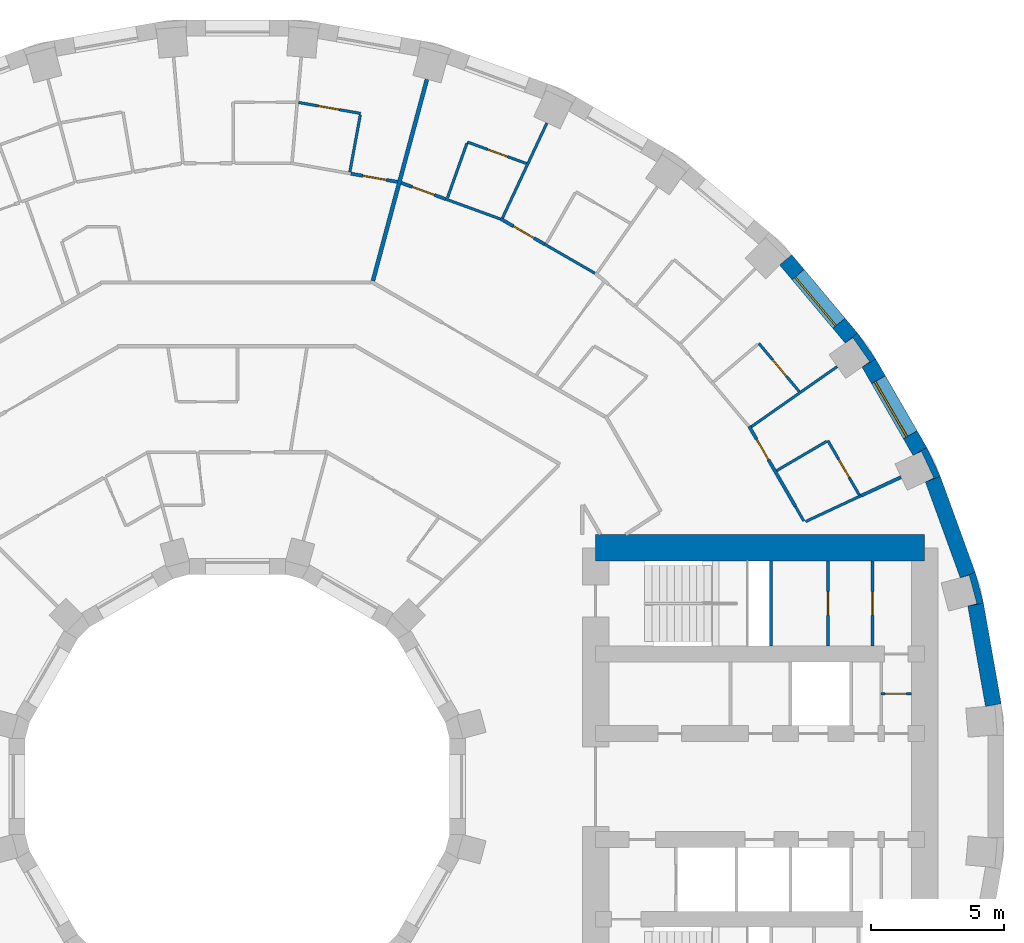
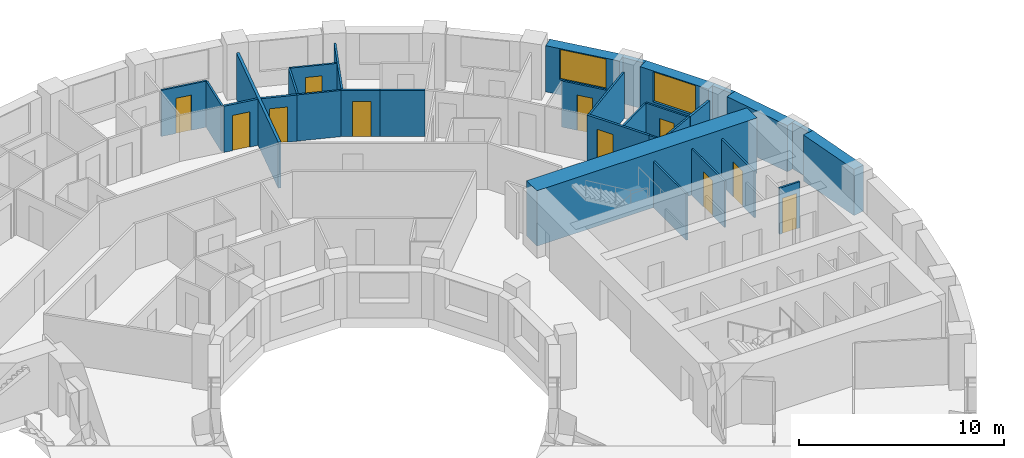
# One storey, part 14 of 16: 31 walls, 11 doors, 2 windows, 13 openings.
"""IFC4 building model written with IfcOpenShell, lengths in metres."""

from ifc_helpers import new_model, si_unit, direction, frame, frame_2d, origin, place, context, subcontext, project, spatial, polyline, rectangle, outline, extrude, material, layer, layer_set, type_object, element, fill, save


model = new_model("IFC4")

# Units and contexts
model_context = context("Model", 3, precision=1e-05, world=origin(), true_north=direction((0.0, 1.0)))
body_context = subcontext(model_context, "Body", "Model", "MODEL_VIEW")
ifc_project = project(units=[si_unit("LENGTHUNIT", "METRE"), si_unit("AREAUNIT", "SQUARE_METRE"), si_unit("VOLUMEUNIT", "CUBIC_METRE"), si_unit("PLANEANGLEUNIT", "RADIAN"), si_unit("MASSUNIT", "GRAM", prefix="KILO")], contexts=[model_context])

# Site, building, storey
site_placement = place(None, origin())
site = spatial("IfcSite", under=ifc_project, at=site_placement, CompositionType="ELEMENT")
building_placement = place(site_placement, origin())
building = spatial("IfcBuilding", under=site, at=building_placement, Name="Saqina Gate Tower", CompositionType="ELEMENT")
storey_placement = place(building_placement, frame((0.0, 0.0, 26.300048828125)))
storey = spatial("IfcBuildingStorey", under=building, at=storey_placement, Name="L06", CompositionType="ELEMENT", Elevation=26.300048828125)

# Walls
ifc_material_1 = material(Name="Brick masonry (red)", Category="masonry")
wall_type_1 = type_object("IfcWallType", Name="BRICK PIER COPING RED", PredefinedType="SOLIDWALL", material=ifc_material_1)
wall_1_placement = place(storey_placement, origin())
element("IfcWall", 1, at=wall_1_placement, inside=storey, type_object=wall_type_1, Name="Pier cap L06 column 2", PredefinedType="SOLIDWALL", context=body_context, shape_type="SweptSolid", body=[
    extrude(outline(polyline([(28.11669921875, 6.910400390625), (27.80517578125, 8.073974609375), (27.2412109375, 7.86865234375), (27.57958984375, 7.95947265625), (27.864501953125, 6.896728515625), (27.52587890625, 6.80615234375), (28.11669921875, 6.910400390625)])), origin(), (0.0, 0.0, 1.0), 2.75),
])
wall_2_placement = place(storey_placement, origin())
element("IfcWall", 2, at=wall_2_placement, inside=storey, type_object=wall_type_1, Name="Pier cap L06 column 3", PredefinedType="SOLIDWALL", context=body_context, shape_type="SweptSolid", body=[
    extrude(outline(polyline([(25.980712890625, 12.779541015625), (25.4609375, 12.4794921875), (25.778564453125, 12.627685546875), (26.243408203125, 11.630615234375), (25.92578125, 11.482666015625), (26.48974609375, 11.687744140625), (25.980712890625, 12.779541015625)])), origin(), (0.0, 0.0, 1.0), 2.75),
])
wall_3_placement = place(storey_placement, origin())
element("IfcWall", 3, at=wall_3_placement, inside=storey, type_object=wall_type_1, Name="Pier cap L06 column 4", PredefinedType="SOLIDWALL", context=body_context, shape_type="SweptSolid", body=[
    extrude(outline(polyline([(24.0576171875, 16.110107421875), (23.36669921875, 17.096923828125), (22.9072265625, 16.711181640625), (23.194091796875, 16.912109375), (23.8251953125, 16.010986328125), (23.5380859375, 15.81005859375), (24.0576171875, 16.110107421875)])), origin(), (0.0, 0.0, 1.0), 2.75),
])

# Wall, opening, door
ifc_material_2 = material(Name="Gypsum board on steel studs", Category="steel")
ifc_layer_1 = layer(ifc_material_2, 0.10009765625)
ifc_layer_set_1 = layer_set([ifc_layer_1], Name="CORE PARTITION")
wall_type_2 = type_object("IfcWallType", Name="CORE PARTITION", PredefinedType="PARTITIONING", material=ifc_layer_set_1)
wall_4_placement = place(storey_placement, frame((24.260009765625, 3.5, 0.0), z_axis=(0.0, 0.0, 1.0), x_axis=(1.0, 0.0, 0.0)))
wall_4 = element("IfcWall", 4, at=wall_4_placement, inside=storey, type_object=wall_type_2, Name="L06-CP-E10", PredefinedType="PARTITIONING", context=body_context, shape_type="SweptSolid", body=[
    extrude(rectangle(XDim=1.139892578125, YDim=0.10009765625, at=frame_2d((0.56982421875, 0.0))), origin(), (0.0, 0.0, 1.0), 2.75),
])
opening_1_placement = place(wall_4_placement, frame((0.14990234375, 0.0, 0.0)))
opening_1 = element("IfcOpeningElement", 5, at=opening_1_placement, cuts=wall_4, Name="Opening G01-D97", PredefinedType="OPENING", context=body_context, shape_type="SweptSolid", body=[
    extrude(rectangle(XDim=0.800048828125, YDim=2.10009765625, at=frame_2d((0.39990234375, 1.050048828125))), frame((0.0, 0.06201171875, 0.0), z_axis=(0.0, -1.0, 0.0), x_axis=(1.0, 0.0, 0.0)), (0.0, 0.0, 1.0), 0.1240234375),
])
ifc_material_3 = material(Name="Steel-framed fire door leaf, EI 60", Category="steel")
door_type_1 = type_object("IfcDoorType", Name="SERVICE ROOM DOOR 800", OperationType="SINGLE_SWING_LEFT", PredefinedType="DOOR", material=ifc_material_3)
door_1_placement = place(opening_1_placement, origin())
door_1 = element("IfcDoor", 6, at=door_1_placement, inside=storey, type_object=door_type_1, Name="L06-CD-E08", OperationType="SINGLE_SWING_RIGHT", OverallHeight=2.10009765625, OverallWidth=0.800048828125, PredefinedType="DOOR", context=body_context, shape_type="SweptSolid", body=[
    extrude(rectangle(XDim=0.800048828125, YDim=2.10009765625, at=frame_2d((0.39990234375, 1.050048828125))), frame((0.0, 0.02490234375, 0.0), z_axis=(0.0, -1.0, 0.0), x_axis=(1.0, 0.0, 0.0)), (0.0, 0.0, 1.0), 0.050048828125),
])
fill(opening_1, door_1)

wall_5_placement = place(storey_placement, frame((22.256103515625, 5.300048828125, 0.0), z_axis=(0.0, 0.0, 1.0), x_axis=(0.0, 1.0, 0.0)))
wall_5 = element("IfcWall", 7, at=wall_5_placement, inside=storey, type_object=wall_type_2, Name="L06-CP-E12", PredefinedType="PARTITIONING", context=body_context, shape_type="SweptSolid", body=[
    extrude(rectangle(XDim=3.199951171875, YDim=0.10009765625, at=frame_2d((1.60009765625, 0.0))), origin(), (0.0, 0.0, 1.0), 2.75),
])
opening_2_placement = place(wall_5_placement, frame((1.14990234375, 0.0, 0.0)))
opening_2 = element("IfcOpeningElement", 8, at=opening_2_placement, cuts=wall_5, Name="Opening G01-D99", PredefinedType="OPENING", context=body_context, shape_type="SweptSolid", body=[
    extrude(rectangle(XDim=0.89990234375, YDim=2.10009765625, at=frame_2d((0.449951171875, 1.050048828125))), frame((0.0, 0.06201171875, 0.0), z_axis=(0.0, -1.0, 0.0), x_axis=(1.0, 0.0, 0.0)), (0.0, 0.0, 1.0), 0.1240234375),
])
ifc_material_4 = material(Name="Steel-framed fire door leaf, EI 60", Category="steel")
door_type_2 = type_object("IfcDoorType", Name="SERVICE ROOM DOOR 900", OperationType="SINGLE_SWING_LEFT", PredefinedType="DOOR", material=ifc_material_4)
door_2_placement = place(opening_2_placement, origin())
door_2 = element("IfcDoor", 9, at=door_2_placement, inside=storey, type_object=door_type_2, Name="L06-CD-E10", OperationType="SINGLE_SWING_LEFT", OverallHeight=2.10009765625, OverallWidth=0.89990234375, PredefinedType="DOOR", context=body_context, shape_type="SweptSolid", body=[
    extrude(rectangle(XDim=0.89990234375, YDim=2.10009765625, at=frame_2d((0.449951171875, 1.050048828125))), frame((0.0, 0.02490234375, 0.0), z_axis=(0.0, -1.0, 0.0), x_axis=(1.0, 0.0, 0.0)), (0.0, 0.0, 1.0), 0.050048828125),
])
fill(opening_2, door_2)

wall_6_placement = place(storey_placement, frame((23.932861328125, 5.300048828125, 0.0), z_axis=(0.0, 0.0, 1.0), x_axis=(0.0, 1.0, 0.0)))
wall_6 = element("IfcWall", 10, at=wall_6_placement, inside=storey, type_object=wall_type_2, Name="L06-CP-E13", PredefinedType="PARTITIONING", context=body_context, shape_type="SweptSolid", body=[
    extrude(rectangle(XDim=3.199951171875, YDim=0.10009765625, at=frame_2d((1.60009765625, 0.0))), origin(), (0.0, 0.0, 1.0), 2.75),
])
opening_3_placement = place(wall_6_placement, frame((1.14990234375, 0.0, 0.0)))
opening_3 = element("IfcOpeningElement", 11, at=opening_3_placement, cuts=wall_6, Name="Opening G01-D98", PredefinedType="OPENING", context=body_context, shape_type="SweptSolid", body=[
    extrude(rectangle(XDim=0.89990234375, YDim=2.10009765625, at=frame_2d((0.449951171875, 1.050048828125))), frame((0.0, 0.06201171875, 0.0), z_axis=(0.0, -1.0, 0.0), x_axis=(1.0, 0.0, 0.0)), (0.0, 0.0, 1.0), 0.1240234375),
])
door_3_placement = place(opening_3_placement, origin())
door_3 = element("IfcDoor", 12, at=door_3_placement, inside=storey, type_object=door_type_2, Name="L06-CD-E09", OperationType="SINGLE_SWING_LEFT", OverallHeight=2.10009765625, OverallWidth=0.89990234375, PredefinedType="DOOR", context=body_context, shape_type="SweptSolid", body=[
    extrude(rectangle(XDim=0.89990234375, YDim=2.10009765625, at=frame_2d((0.449951171875, 1.050048828125))), frame((0.0, 0.02490234375, 0.0), z_axis=(0.0, -1.0, 0.0), x_axis=(1.0, 0.0, 0.0)), (0.0, 0.0, 1.0), 0.050048828125),
])
fill(opening_3, door_3)

# Wall, opening, window
ifc_material_5 = material(Name="Brick masonry (red)", Category="masonry")
ifc_layer_2 = layer(ifc_material_5, 0.60009765625)
ifc_layer_set_2 = layer_set([ifc_layer_2], Name="FW-BRICK-RED")
wall_type_3 = type_object("IfcWallType", Name="FW-BRICK-RED", PredefinedType="SOLIDWALL", material=ifc_layer_set_2)
wall_7_placement = place(storey_placement, frame((25.720703125, 12.629638671875, 0.0), z_axis=(0.0, 0.0, 1.0), x_axis=(-0.499989888488, 0.86603124159, 0.0)))
wall_7 = element("IfcWall", 13, at=wall_7_placement, inside=storey, type_object=wall_type_3, Name="Facade wall L06 facet 3", PredefinedType="SOLIDWALL", context=body_context, shape_type="SweptSolid", body=[
    extrude(rectangle(XDim=3.845703125, YDim=0.60009765625, at=frame_2d((1.9228515625, 0.0))), origin(), (0.0, 0.0, 1.0), 2.75),
])
opening_4_placement = place(wall_7_placement, frame((0.722900390625, 0.0, 0.89990234375)))
opening_4 = element("IfcOpeningElement", 14, at=opening_4_placement, cuts=wall_7, Name="Opening G01-W01", PredefinedType="OPENING", context=body_context, shape_type="SweptSolid", body=[
    extrude(rectangle(XDim=2.39990234375, YDim=1.800048828125, at=frame_2d((1.199951171875, 0.89990234375))), frame((0.0, 0.31201171875, 0.0), z_axis=(0.0, -1.0, 0.0), x_axis=(1.0, 0.0, 0.0)), (0.0, 0.0, 1.0), 0.6240234375),
])
ifc_material_6 = material(Name="Aluminium glazing", Category="aluminium")
window_type = type_object("IfcWindowType", Name="WN-A", PartitioningType="SINGLE_PANEL", PredefinedType="WINDOW", material=ifc_material_6)
window_1_placement = place(opening_4_placement, origin())
window_1 = element("IfcWindow", 15, at=window_1_placement, inside=storey, type_object=window_type, Name="Window L06 facet 3", OverallHeight=1.800048828125, OverallWidth=2.39990234375, PartitioningType="SINGLE_PANEL", PredefinedType="WINDOW", context=body_context, shape_type="SweptSolid", body=[
    extrude(rectangle(XDim=2.39990234375, YDim=1.800048828125, at=frame_2d((1.199951171875, 0.89990234375))), frame((0.0, 0.179931640625, 0.0), z_axis=(0.0, -1.0, 0.0), x_axis=(1.0, 0.0, 0.0)), (0.0, 0.0, 1.0), 0.06005859375),
])
fill(opening_4, window_1)

wall_8_placement = place(storey_placement, frame((23.136962890625, 16.904052734375, 0.0), z_axis=(0.0, 0.0, 1.0), x_axis=(-0.642809392687, 0.766026164483, 0.0)))
wall_8 = element("IfcWall", 16, at=wall_8_placement, inside=storey, type_object=wall_type_3, Name="Facade wall L06 facet 4", PredefinedType="SOLIDWALL", context=body_context, shape_type="SweptSolid", body=[
    extrude(rectangle(XDim=3.845947265625, YDim=0.60009765625, at=frame_2d((1.9228515625, 0.0))), origin(), (0.0, 0.0, 1.0), 2.75),
])
opening_5_placement = place(wall_8_placement, frame((0.722900390625, 0.0, 0.89990234375)))
opening_5 = element("IfcOpeningElement", 17, at=opening_5_placement, cuts=wall_8, Name="Opening G01-W02", PredefinedType="OPENING", context=body_context, shape_type="SweptSolid", body=[
    extrude(rectangle(XDim=2.39990234375, YDim=1.800048828125, at=frame_2d((1.199951171875, 0.89990234375))), frame((0.0, 0.31201171875, 0.0), z_axis=(0.0, -1.0, 0.0), x_axis=(1.0, 0.0, 0.0)), (0.0, 0.0, 1.0), 0.6240234375),
])
window_2_placement = place(opening_5_placement, origin())
window_2 = element("IfcWindow", 18, at=window_2_placement, inside=storey, type_object=window_type, Name="Window L06 facet 4", OverallHeight=1.800048828125, OverallWidth=2.39990234375, PartitioningType="SINGLE_PANEL", PredefinedType="WINDOW", context=body_context, shape_type="SweptSolid", body=[
    extrude(rectangle(XDim=2.39990234375, YDim=1.800048828125, at=frame_2d((1.199951171875, 0.89990234375))), frame((0.0, 0.179931640625, 0.0), z_axis=(0.0, -1.0, 0.0), x_axis=(1.0, 0.0, 0.0)), (0.0, 0.0, 1.0), 0.06005859375),
])
fill(opening_5, window_2)

# Walls
ifc_material_7 = material(Name="Glazed ceramic tile", Category="ceramic")
ifc_layer_3 = layer(ifc_material_7, 0.60009765625)
ifc_layer_set_3 = layer_set([ifc_layer_3], Name="FW-TILE")
wall_type_4 = type_object("IfcWallType", Name="FW-TILE", PredefinedType="SOLIDWALL", material=ifc_layer_set_3)
wall_9_placement = place(storey_placement, frame((28.4892578125, 3.07080078125, 0.0), z_axis=(0.0, 0.0, 1.0), x_axis=(-0.173687553279, 0.984800809218, 0.0)))
element("IfcWall", 19, at=wall_9_placement, inside=storey, type_object=wall_type_4, Name="Facade wall L06 facet 1", PredefinedType="SOLIDWALL", context=body_context, shape_type="SweptSolid", body=[
    extrude(rectangle(XDim=3.845703125, YDim=0.60009765625, at=frame_2d((1.9228515625, 0.0))), origin(), (0.0, 0.0, 1.0), 2.75),
])
ifc_material_8 = material(Name="Glazed ceramic tile (white)", Category="ceramic")
ifc_layer_4 = layer(ifc_material_8, 0.60009765625)
ifc_layer_set_4 = layer_set([ifc_layer_4], Name="FW-TILE-WH")
wall_type_5 = type_object("IfcWallType", Name="FW-TILE-WH", PredefinedType="SOLIDWALL", material=ifc_layer_set_4)
wall_10_placement = place(storey_placement, frame((27.523193359375, 7.97119140625, 0.0), z_axis=(0.0, 0.0, 1.0), x_axis=(-0.342028474173, 0.939689588564, 0.0)))
element("IfcWall", 20, at=wall_10_placement, inside=storey, type_object=wall_type_5, Name="Facade wall L06 facet 2", PredefinedType="SOLIDWALL", context=body_context, shape_type="SweptSolid", body=[
    extrude(rectangle(XDim=3.845947265625, YDim=0.60009765625, at=frame_2d((1.9228515625, 0.0))), origin(), (0.0, 0.0, 1.0), 2.75),
])
ifc_material_9 = material(Name="Gypsum board on steel studs, 100 mm", Category="steel")
ifc_layer_5 = layer(ifc_material_9, 0.10009765625)
ifc_layer_set_5 = layer_set([ifc_layer_5], Name="PARTITION 100")
wall_type_6 = type_object("IfcWallType", Name="PARTITION 100", PredefinedType="PARTITIONING", material=ifc_layer_set_5)
wall_11_placement = place(storey_placement, frame((21.029296875, 10.555419921875, 0.0), z_axis=(0.0, 0.0, 1.0), x_axis=(0.49975591337, -0.86616628141, 0.0)))
element("IfcWall", 21, at=wall_11_placement, inside=storey, type_object=wall_type_6, Name="PARTITION PW3-24", PredefinedType="PARTITIONING", context=body_context, shape_type="SweptSolid", body=[
    extrude(rectangle(XDim=0.631591796875, YDim=0.10009765625, at=frame_2d((0.31591796875, 0.0))), origin(), (0.0, 0.0, 1.0), 2.75),
])

# Wall, opening, door
wall_12_placement = place(storey_placement, frame((22.251953125, 13.0380859375, 0.0), z_axis=(0.0, 0.0, 1.0), x_axis=(0.500073288705, -0.865983086396, 0.0)))
wall_12 = element("IfcWall", 22, at=wall_12_placement, inside=storey, type_object=wall_type_6, Name="PARTITION PW3-25", PredefinedType="PARTITIONING", context=body_context, shape_type="SweptSolid", body=[
    extrude(rectangle(XDim=2.369384765625, YDim=0.10009765625, at=frame_2d((1.1845703125, 0.0))), origin(), (0.0, 0.0, 1.0), 2.75),
])
opening_6_placement = place(wall_12_placement, frame((0.810791015625, 0.0, 0.0)))
opening_6 = element("IfcOpeningElement", 23, at=opening_6_placement, cuts=wall_12, Name="Opening G01-D01", PredefinedType="OPENING", context=body_context, shape_type="SweptSolid", body=[
    extrude(rectangle(XDim=0.800048828125, YDim=2.10009765625, at=frame_2d((0.39990234375, 1.050048828125))), frame((0.0, 0.06201171875, 0.0), z_axis=(0.0, -1.0, 0.0), x_axis=(1.0, 0.0, 0.0)), (0.0, 0.0, 1.0), 0.1240234375),
])
ifc_material_10 = material(Name="Timber door leaf, 800 mm", Category="wood")
door_type_3 = type_object("IfcDoorType", Name="DOOR 800 TIMBER", OperationType="SINGLE_SWING_LEFT", PredefinedType="DOOR", material=ifc_material_10)
door_4_placement = place(opening_6_placement, origin())
door_4 = element("IfcDoor", 24, at=door_4_placement, inside=storey, type_object=door_type_3, Name="DOOR G01-D01", OperationType="SINGLE_SWING_RIGHT", OverallHeight=2.10009765625, OverallWidth=0.800048828125, PredefinedType="DOOR", context=body_context, shape_type="SweptSolid", body=[
    extrude(rectangle(XDim=0.800048828125, YDim=2.10009765625, at=frame_2d((0.39990234375, 1.050048828125))), frame((0.0, 0.02490234375, 0.0), z_axis=(0.0, -1.0, 0.0), x_axis=(1.0, 0.0, 0.0)), (0.0, 0.0, 1.0), 0.050048828125),
])
fill(opening_6, door_4)

wall_13_placement = place(storey_placement, frame((19.64990234375, 16.7041015625, 0.0), z_axis=(0.0, 0.0, 1.0), x_axis=(0.642631758034, -0.766175191171, 0.0)))
wall_13 = element("IfcWall", 25, at=wall_13_placement, inside=storey, type_object=wall_type_6, Name="PARTITION PW3-30", PredefinedType="PARTITIONING", context=body_context, shape_type="SweptSolid", body=[
    extrude(rectangle(XDim=2.371337890625, YDim=0.10009765625, at=frame_2d((1.185546875, 0.0))), origin(), (0.0, 0.0, 1.0), 2.75),
])
opening_7_placement = place(wall_13_placement, frame((0.810546875, 0.0, 0.0)))
opening_7 = element("IfcOpeningElement", 26, at=opening_7_placement, cuts=wall_13, Name="Opening G01-D03", PredefinedType="OPENING", context=body_context, shape_type="SweptSolid", body=[
    extrude(rectangle(XDim=0.800048828125, YDim=2.10009765625, at=frame_2d((0.39990234375, 1.050048828125))), frame((0.0, 0.06201171875, 0.0), z_axis=(0.0, -1.0, 0.0), x_axis=(1.0, 0.0, 0.0)), (0.0, 0.0, 1.0), 0.1240234375),
])
door_5_placement = place(opening_7_placement, origin())
door_5 = element("IfcDoor", 27, at=door_5_placement, inside=storey, type_object=door_type_3, Name="DOOR G01-D03", OperationType="SINGLE_SWING_RIGHT", OverallHeight=2.10009765625, OverallWidth=0.800048828125, PredefinedType="DOOR", context=body_context, shape_type="SweptSolid", body=[
    extrude(rectangle(XDim=0.800048828125, YDim=2.10009765625, at=frame_2d((0.39990234375, 1.050048828125))), frame((0.0, 0.02490234375, 0.0), z_axis=(0.0, -1.0, 0.0), x_axis=(1.0, 0.0, 0.0)), (0.0, 0.0, 1.0), 0.050048828125),
])
fill(opening_7, door_5)

# Walls
wall_14_placement = place(storey_placement, frame((11.57177734375, 20.443115234375, 0.0), z_axis=(0.0, 0.0, 1.0), x_axis=(0.865939000713, -0.500149624657, 0.0)))
element("IfcWall", 28, at=wall_14_placement, inside=storey, type_object=wall_type_6, Name="PARTITION PW3-44", PredefinedType="PARTITIONING", context=body_context, shape_type="SweptSolid", body=[
    extrude(rectangle(XDim=2.193115234375, YDim=0.10009765625, at=frame_2d((1.0966796875, 0.0))), origin(), (0.0, 0.0, 1.0), 2.75),
])
wall_15_placement = place(storey_placement, frame((7.845947265625, 22.14111328125, 0.0), z_axis=(0.0, 0.0, 1.0), x_axis=(0.939712116987, -0.341966573204, 0.0)))
element("IfcWall", 29, at=wall_15_placement, inside=storey, type_object=wall_type_6, Name="PARTITION PW3-49", PredefinedType="PARTITIONING", context=body_context, shape_type="SweptSolid", body=[
    extrude(rectangle(XDim=2.1923828125, YDim=0.10009765625, at=frame_2d((1.09619140625, 0.0))), origin(), (0.0, 0.0, 1.0), 2.75),
])

# Wall, opening, door
wall_16_placement = place(storey_placement, frame((8.666015625, 24.291015625, 0.0), z_axis=(0.0, 0.0, 1.0), x_axis=(0.939700179596, -0.341999374952, 0.0)))
wall_16 = element("IfcWall", 30, at=wall_16_placement, inside=storey, type_object=wall_type_6, Name="PARTITION PW3-50", PredefinedType="PARTITIONING", context=body_context, shape_type="SweptSolid", body=[
    extrude(rectangle(XDim=2.370849609375, YDim=0.10009765625, at=frame_2d((1.185546875, 0.0))), origin(), (0.0, 0.0, 1.0), 2.75),
])
opening_8_placement = place(wall_16_placement, frame((0.810546875, 0.0, 0.0)))
opening_8 = element("IfcOpeningElement", 31, at=opening_8_placement, cuts=wall_16, Name="Opening G01-D14", PredefinedType="OPENING", context=body_context, shape_type="SweptSolid", body=[
    extrude(rectangle(XDim=0.800048828125, YDim=2.10009765625, at=frame_2d((0.39990234375, 1.050048828125))), frame((0.0, 0.06201171875, 0.0), z_axis=(0.0, -1.0, 0.0), x_axis=(1.0, 0.0, 0.0)), (0.0, 0.0, 1.0), 0.1240234375),
])
door_6_placement = place(opening_8_placement, origin())
door_6 = element("IfcDoor", 32, at=door_6_placement, inside=storey, type_object=door_type_3, Name="DOOR G01-D14", OperationType="SINGLE_SWING_RIGHT", OverallHeight=2.10009765625, OverallWidth=0.800048828125, PredefinedType="DOOR", context=body_context, shape_type="SweptSolid", body=[
    extrude(rectangle(XDim=0.800048828125, YDim=2.10009765625, at=frame_2d((0.39990234375, 1.050048828125))), frame((0.0, 0.02490234375, 0.0), z_axis=(0.0, -1.0, 0.0), x_axis=(1.0, 0.0, 0.0)), (0.0, 0.0, 1.0), 0.050048828125),
])
fill(opening_8, door_6)

wall_17_placement = place(storey_placement, frame((2.30517578125, 25.78125, 0.0), z_axis=(0.0, 0.0, 1.0), x_axis=(0.984774232096, -0.17383817705, 0.0)))
wall_17 = element("IfcWall", 33, at=wall_17_placement, inside=storey, type_object=wall_type_6, Name="PARTITION PW3-54", PredefinedType="PARTITIONING", context=body_context, shape_type="SweptSolid", body=[
    extrude(rectangle(XDim=2.3720703125, YDim=0.10009765625, at=frame_2d((1.18603515625, 0.0))), origin(), (0.0, 0.0, 1.0), 2.75),
])
opening_9_placement = place(wall_17_placement, frame((0.760986328125, 0.0, 0.0)))
opening_9 = element("IfcOpeningElement", 34, at=opening_9_placement, cuts=wall_17, Name="Opening G01-D18", PredefinedType="OPENING", context=body_context, shape_type="SweptSolid", body=[
    extrude(rectangle(XDim=0.800048828125, YDim=2.10009765625, at=frame_2d((0.39990234375, 1.050048828125))), frame((0.0, 0.06201171875, 0.0), z_axis=(0.0, -1.0, 0.0), x_axis=(1.0, 0.0, 0.0)), (0.0, 0.0, 1.0), 0.1240234375),
])
door_7_placement = place(opening_9_placement, origin())
door_7 = element("IfcDoor", 35, at=door_7_placement, inside=storey, type_object=door_type_3, Name="DOOR G01-D18", OperationType="SINGLE_SWING_LEFT", OverallHeight=2.10009765625, OverallWidth=0.800048828125, PredefinedType="DOOR", context=body_context, shape_type="SweptSolid", body=[
    extrude(rectangle(XDim=0.800048828125, YDim=2.10009765625, at=frame_2d((0.39990234375, 1.050048828125))), frame((0.0, 0.02490234375, 0.0), z_axis=(0.0, -1.0, 0.0), x_axis=(1.0, 0.0, 0.0)), (0.0, 0.0, 1.0), 0.050048828125),
])
fill(opening_9, door_7)

# Walls
wall_18_placement = place(storey_placement, frame((21.414306640625, 9.988037109375, 0.0), z_axis=(0.0, 0.0, 1.0), x_axis=(0.906293839501, 0.42264817104, 0.0)))
element("IfcWall", 36, at=wall_18_placement, inside=storey, type_object=wall_type_6, Name="PARTITION PW3-74", PredefinedType="PARTITIONING", context=body_context, shape_type="SweptSolid", body=[
    extrude(rectangle(XDim=2.309326171875, YDim=0.10009765625, at=frame_2d((1.15478515625, 0.0))), origin(), (0.0, 0.0, 1.0), 2.75),
])
wall_19_placement = place(storey_placement, frame((20.322021484375, 11.906494140625, 0.0), z_axis=(0.0, 0.0, 1.0), x_axis=(0.862687894762, 0.505736686657, 0.0)))
element("IfcWall", 37, at=wall_19_placement, inside=storey, type_object=wall_type_6, Name="PARTITION PW3-83", PredefinedType="PARTITIONING", context=body_context, shape_type="SweptSolid", body=[
    extrude(rectangle(XDim=2.187255859375, YDim=0.10009765625, at=frame_2d((1.09375, 0.0))), origin(), (0.0, 0.0, 1.0), 2.75),
])
wall_20_placement = place(storey_placement, frame((19.3662109375, 13.560791015625, 0.0), z_axis=(0.0, 0.0, 1.0), x_axis=(0.819199961449, 0.57350799747, 0.0)))
element("IfcWall", 38, at=wall_20_placement, inside=storey, type_object=wall_type_6, Name="PARTITION PW3-85", PredefinedType="PARTITIONING", context=body_context, shape_type="SweptSolid", body=[
    extrude(rectangle(XDim=3.947998046875, YDim=0.10009765625, at=frame_2d((1.97412109375, 0.0))), origin(), (0.0, 0.0, 1.0), 2.75),
])
wall_21_placement = place(storey_placement, frame((9.98388671875, 21.416259765625, 0.0), z_axis=(0.0, 0.0, 1.0), x_axis=(0.423587219874, 0.905855323525, 0.0)))
element("IfcWall", 39, at=wall_21_placement, inside=storey, type_object=wall_type_6, Name="PARTITION PW3-105", PredefinedType="PARTITIONING", context=body_context, shape_type="SweptSolid", body=[
    extrude(rectangle(XDim=3.960693359375, YDim=0.10009765625, at=frame_2d((1.98046875, 0.0))), origin(), (0.0, 0.0, 1.0), 2.75),
])
wall_22_placement = place(storey_placement, frame((7.9140625, 22.182861328125, 0.0), z_axis=(0.0, 0.0, 1.0), x_axis=(0.335940567571, 0.941883185464, 0.0)))
element("IfcWall", 40, at=wall_22_placement, inside=storey, type_object=wall_type_6, Name="PARTITION PW3-107", PredefinedType="PARTITIONING", context=body_context, shape_type="SweptSolid", body=[
    extrude(rectangle(XDim=2.188232421875, YDim=0.10009765625, at=frame_2d((1.09423828125, 0.0))), origin(), (0.0, 0.0, 1.0), 2.75),
])
wall_23_placement = place(storey_placement, frame((4.236083984375, 23.15625, 0.0), z_axis=(0.0, 0.0, 1.0), x_axis=(0.180037913286, 0.983659671726, 0.0)))
element("IfcWall", 41, at=wall_23_placement, inside=storey, type_object=wall_type_6, Name="PARTITION PW3-113", PredefinedType="PARTITIONING", context=body_context, shape_type="SweptSolid", body=[
    extrude(rectangle(XDim=2.199462890625, YDim=0.10009765625, at=frame_2d((1.099609375, 0.0))), origin(), (0.0, 0.0, 1.0), 2.75),
])

# Wall, opening, door
ifc_material_11 = material(Name="Gypsum board on steel studs, 125 mm, fire rated", Category="steel")
ifc_layer_6 = layer(ifc_material_11, 0.125)
ifc_layer_set_6 = layer_set([ifc_layer_6], Name="PARTITION EI 30 125")
wall_type_7 = type_object("IfcWallType", Name="PARTITION EI 30 125", PredefinedType="PARTITIONING", material=ifc_layer_set_6)
wall_24_placement = place(storey_placement, frame((19.283203125, 13.579833984375, 0.0), z_axis=(0.0, 0.0, 1.0), x_axis=(0.500206547268, -0.865906120818, 0.0)))
wall_24 = element("IfcWall", 42, at=wall_24_placement, inside=storey, type_object=wall_type_7, Name="PARTITION PW1-06", PredefinedType="PARTITIONING", context=body_context, shape_type="SweptSolid", body=[
    extrude(rectangle(XDim=3.4921875, YDim=0.125, at=frame_2d((1.74609375, 0.0))), origin(), (0.0, 0.0, 1.0), 2.75),
])
opening_10_placement = place(wall_24_placement, frame((0.566162109375, 0.0, 0.0)))
opening_10 = element("IfcOpeningElement", 43, at=opening_10_placement, cuts=wall_24, Name="Opening G01-D02", PredefinedType="OPENING", context=body_context, shape_type="SweptSolid", body=[
    extrude(rectangle(XDim=0.89990234375, YDim=2.10009765625, at=frame_2d((0.449951171875, 1.050048828125))), frame((0.0, 0.074462890625, 0.0), z_axis=(0.0, -1.0, 0.0), x_axis=(1.0, 0.0, 0.0)), (0.0, 0.0, 1.0), 0.14892578125),
])
ifc_material_12 = material(Name="Fire door leaf EI 30, 900 mm")
door_type_4 = type_object("IfcDoorType", Name="DOOR 900 EI 30", OperationType="SINGLE_SWING_LEFT", PredefinedType="DOOR", material=ifc_material_12)
door_8_placement = place(opening_10_placement, frame((0.89990234375, 0.0, 0.0), z_axis=(0.0, 0.0, 1.0), x_axis=(-1.0, 0.0, 0.0)))
door_8 = element("IfcDoor", 44, at=door_8_placement, inside=storey, type_object=door_type_4, Name="DOOR G01-D02", OperationType="SINGLE_SWING_RIGHT", OverallHeight=2.10009765625, OverallWidth=0.89990234375, PredefinedType="DOOR", context=body_context, shape_type="SweptSolid", body=[
    extrude(rectangle(XDim=0.89990234375, YDim=2.10009765625, at=frame_2d((0.449951171875, 1.050048828125))), frame((0.0, 0.02490234375, 0.0), z_axis=(0.0, -1.0, 0.0), x_axis=(1.0, 0.0, 0.0)), (0.0, 0.0, 1.0), 0.050048828125),
])
fill(opening_10, door_8)

wall_25_placement = place(storey_placement, frame((9.909912109375, 21.401611328125, 0.0), z_axis=(0.0, 0.0, 1.0), x_axis=(0.866191941426, -0.499711437341, 0.0)))
wall_25 = element("IfcWall", 45, at=wall_25_placement, inside=storey, type_object=wall_type_7, Name="PARTITION PW1-20", PredefinedType="PARTITIONING", context=body_context, shape_type="SweptSolid", body=[
    extrude(rectangle(XDim=1.918701171875, YDim=0.125, at=frame_2d((0.95947265625, 0.0))), origin(), (0.0, 0.0, 1.0), 2.75),
])
opening_11_placement = place(wall_25_placement, frame((0.56591796875, 0.0, 0.0)))
opening_11 = element("IfcOpeningElement", 46, at=opening_11_placement, cuts=wall_25, Name="Opening G01-D11", PredefinedType="OPENING", context=body_context, shape_type="SweptSolid", body=[
    extrude(rectangle(XDim=0.89990234375, YDim=2.10009765625, at=frame_2d((0.449951171875, 1.050048828125))), frame((0.0, 0.074462890625, 0.0), z_axis=(0.0, -1.0, 0.0), x_axis=(1.0, 0.0, 0.0)), (0.0, 0.0, 1.0), 0.14892578125),
])
door_9_placement = place(opening_11_placement, frame((0.89990234375, 0.0, 0.0), z_axis=(0.0, 0.0, 1.0), x_axis=(-1.0, 0.0, 0.0)))
door_9 = element("IfcDoor", 47, at=door_9_placement, inside=storey, type_object=door_type_4, Name="DOOR G01-D11", OperationType="SINGLE_SWING_RIGHT", OverallHeight=2.10009765625, OverallWidth=0.89990234375, PredefinedType="DOOR", context=body_context, shape_type="SweptSolid", body=[
    extrude(rectangle(XDim=0.89990234375, YDim=2.10009765625, at=frame_2d((0.449951171875, 1.050048828125))), frame((0.0, 0.02490234375, 0.0), z_axis=(0.0, -1.0, 0.0), x_axis=(1.0, 0.0, 0.0)), (0.0, 0.0, 1.0), 0.050048828125),
])
fill(opening_11, door_9)

wall_26_placement = place(storey_placement, frame((6.173583984375, 22.750244140625, 0.0), z_axis=(0.0, 0.0, 1.0), x_axis=(0.939613069721, -0.342238629044, 0.0)))
wall_26 = element("IfcWall", 48, at=wall_26_placement, inside=storey, type_object=wall_type_7, Name="PARTITION PW1-22", PredefinedType="PARTITIONING", context=body_context, shape_type="SweptSolid", body=[
    extrude(rectangle(XDim=1.77978515625, YDim=0.125, at=frame_2d((0.889892578125, 0.0))), origin(), (0.0, 0.0, 1.0), 2.75),
])
opening_12_placement = place(wall_26_placement, frame((0.427490234375, 0.0, 0.0)))
opening_12 = element("IfcOpeningElement", 49, at=opening_12_placement, cuts=wall_26, Name="Opening G01-D15", PredefinedType="OPENING", context=body_context, shape_type="SweptSolid", body=[
    extrude(rectangle(XDim=0.89990234375, YDim=2.10009765625, at=frame_2d((0.449951171875, 1.050048828125))), frame((0.0, 0.074462890625, 0.0), z_axis=(0.0, -1.0, 0.0), x_axis=(1.0, 0.0, 0.0)), (0.0, 0.0, 1.0), 0.14892578125),
])
door_10_placement = place(opening_12_placement, frame((0.89990234375, 0.0, 0.0), z_axis=(0.0, 0.0, 1.0), x_axis=(-1.0, 0.0, 0.0)))
door_10 = element("IfcDoor", 50, at=door_10_placement, inside=storey, type_object=door_type_4, Name="DOOR G01-D15", OperationType="SINGLE_SWING_RIGHT", OverallHeight=2.10009765625, OverallWidth=0.89990234375, PredefinedType="DOOR", context=body_context, shape_type="SweptSolid", body=[
    extrude(rectangle(XDim=0.89990234375, YDim=2.10009765625, at=frame_2d((0.449951171875, 1.050048828125))), frame((0.0, 0.02490234375, 0.0), z_axis=(0.0, -1.0, 0.0), x_axis=(1.0, 0.0, 0.0)), (0.0, 0.0, 1.0), 0.050048828125),
])
fill(opening_12, door_10)

wall_27_placement = place(storey_placement, frame((4.276123046875, 23.098388671875, 0.0), z_axis=(0.0, 0.0, 1.0), x_axis=(0.984784939559, -0.173777509529, 0.0)))
wall_27 = element("IfcWall", 51, at=wall_27_placement, inside=storey, type_object=wall_type_7, Name="PARTITION PW1-24", PredefinedType="PARTITIONING", context=body_context, shape_type="SweptSolid", body=[
    extrude(rectangle(XDim=1.780029296875, YDim=0.125, at=frame_2d((0.89013671875, 0.0))), origin(), (0.0, 0.0, 1.0), 2.75),
])
opening_13_placement = place(wall_27_placement, frame((0.452392578125, 0.0, 0.0)))
opening_13 = element("IfcOpeningElement", 52, at=opening_13_placement, cuts=wall_27, Name="Opening G01-D16", PredefinedType="OPENING", context=body_context, shape_type="SweptSolid", body=[
    extrude(rectangle(XDim=0.89990234375, YDim=2.10009765625, at=frame_2d((0.449951171875, 1.050048828125))), frame((0.0, 0.074462890625, 0.0), z_axis=(0.0, -1.0, 0.0), x_axis=(1.0, 0.0, 0.0)), (0.0, 0.0, 1.0), 0.14892578125),
])
door_11_placement = place(opening_13_placement, frame((0.89990234375, 0.0, 0.0), z_axis=(0.0, 0.0, 1.0), x_axis=(-1.0, 0.0, 0.0)))
door_11 = element("IfcDoor", 53, at=door_11_placement, inside=storey, type_object=door_type_4, Name="DOOR G01-D16", OperationType="SINGLE_SWING_LEFT", OverallHeight=2.10009765625, OverallWidth=0.89990234375, PredefinedType="DOOR", context=body_context, shape_type="SweptSolid", body=[
    extrude(rectangle(XDim=0.89990234375, YDim=2.10009765625, at=frame_2d((0.449951171875, 1.050048828125))), frame((0.0, 0.02490234375, 0.0), z_axis=(0.0, -1.0, 0.0), x_axis=(1.0, 0.0, 0.0)), (0.0, 0.0, 1.0), 0.050048828125),
])
fill(opening_13, door_11)

# Walls
wall_28_placement = place(storey_placement, frame((23.50830078125, 10.962158203125, 0.0), z_axis=(0.0, 0.0, 1.0), x_axis=(0.906360566975, 0.422505056339, 0.0)))
element("IfcWall", 54, at=wall_28_placement, inside=storey, type_object=wall_type_7, Name="PARTITION PW1-36", PredefinedType="PARTITIONING", context=body_context, shape_type="SweptSolid", body=[
    extrude(rectangle(XDim=1.6513671875, YDim=0.125, at=frame_2d((0.82568359375, 0.0))), origin(), (0.0, 0.0, 1.0), 2.75),
])
ifc_material_13 = material(Name="Gypsum board on steel studs, 150 mm, fire rated", Category="steel")
ifc_layer_7 = layer(ifc_material_13, 0.14990234375)
ifc_layer_set_7 = layer_set([ifc_layer_7], Name="PARTITION EI 60 150")
wall_type_8 = type_object("IfcWallType", Name="PARTITION EI 60 150", PredefinedType="PARTITIONING", material=ifc_layer_set_7)
wall_29_placement = place(storey_placement, frame((5.107177734375, 19.060302734375, 0.0), z_axis=(0.0, 0.0, 1.0), x_axis=(0.258797692258, 0.965931547513, 0.0)))
element("IfcWall", 55, at=wall_29_placement, inside=storey, type_object=wall_type_8, Name="PARTITION PW2-04", PredefinedType="PARTITIONING", context=body_context, shape_type="SweptSolid", body=[
    extrude(rectangle(XDim=7.857177734375, YDim=0.14990234375, at=frame_2d((3.9287109375, 0.0))), origin(), (0.0, 0.0, 1.0), 2.75),
])
ifc_material_14 = material(Name="Autoclaved aerated concrete block", Category="concrete")
ifc_layer_8 = layer(ifc_material_14, 0.10009765625)
ifc_layer_set_8 = layer_set([ifc_layer_8], Name="STAIR ENCLOSURE WALL")
wall_type_9 = type_object("IfcWallType", Name="STAIR ENCLOSURE WALL", PredefinedType="PARTITIONING", material=ifc_layer_set_8)
wall_30_placement = place(storey_placement, frame((20.110107421875, 5.300048828125, 0.0), z_axis=(0.0, 0.0, 1.0), x_axis=(0.0, 1.0, 0.0)))
element("IfcWall", 56, at=wall_30_placement, inside=storey, type_object=wall_type_9, Name="L06-CP-E11", PredefinedType="PARTITIONING", context=body_context, shape_type="SweptSolid", body=[
    extrude(rectangle(XDim=3.199951171875, YDim=0.10009765625, at=frame_2d((1.60009765625, 0.0))), origin(), (0.0, 0.0, 1.0), 2.75),
])
ifc_material_15 = material(Name="Concrete C70/85", Category="concrete")
ifc_layer_9 = layer(ifc_material_15, 1.0)
ifc_layer_set_9 = layer_set([ifc_layer_9], Name="Concrete C70/85")
wall_type_10 = type_object("IfcWallType", Name="STR-CORE WALL-A-O", PredefinedType="SHEAR", material=ifc_layer_set_9)
wall_31_placement = place(storey_placement, frame((13.5, 9.0, 0.0), z_axis=(0.0, 0.0, 1.0), x_axis=(1.0, 0.0, 0.0)))
element("IfcWall", 57, at=wall_31_placement, inside=storey, type_object=wall_type_10, Name="CORE WALL L06 E-NE", PredefinedType="SHEAR", context=body_context, shape_type="SweptSolid", body=[
    extrude(rectangle(XDim=12.39990234375, YDim=1.0, at=frame_2d((6.199951171875, 0.0))), origin(), (0.0, 0.0, 1.0), 3.300048828125),
])

save(model, "model.ifc")
